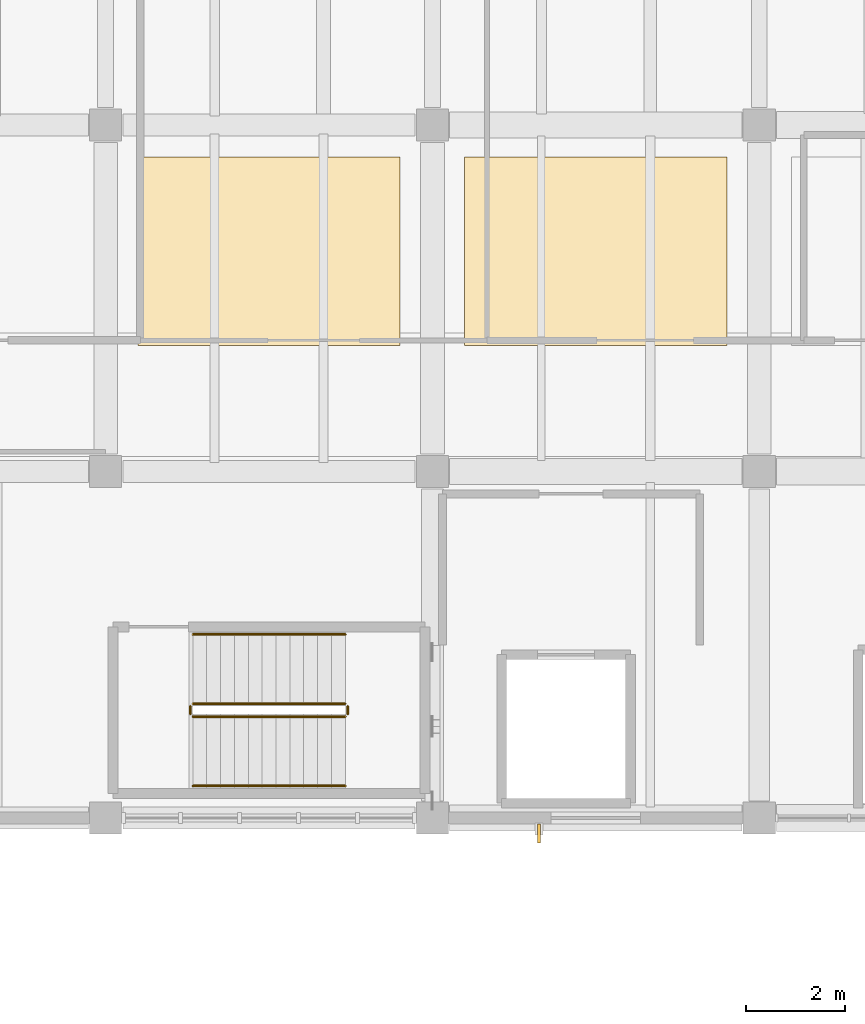
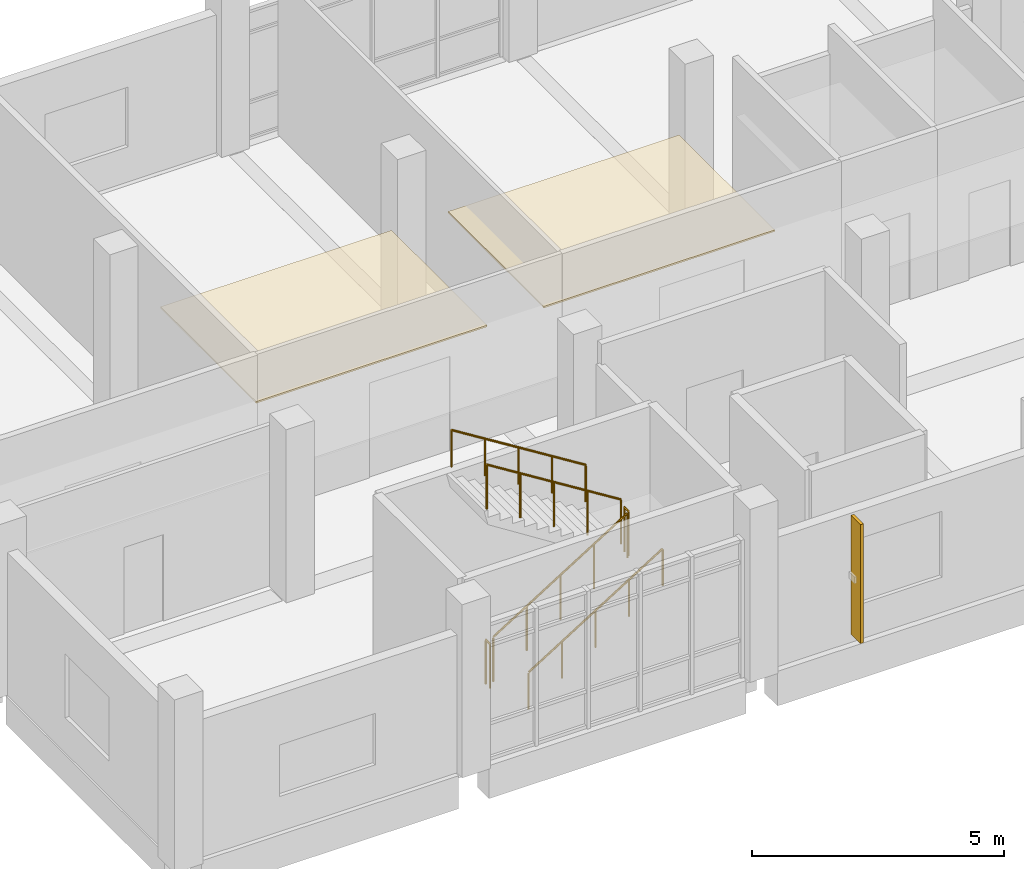
# One storey, part 14 of 16: 6 railings, 2 coverings, 1 shading device.
"""IFC4 building model written with IfcOpenShell, lengths in metres."""

from ifc_helpers import new_model, si_unit, direction, frame, origin, origin_2d, place, context, subcontext, project, spatial, polyline, rectangle, circle, outline, extrude, material, layer, layer_set, material_profile, profile_set, type_object, element, save


model = new_model("IFC4")

# Units and contexts
model_context = context("Model", 3, precision=1e-05, world=origin(), true_north=direction((0.0, 1.0)))
body_context = subcontext(model_context, "Body", "Model", "MODEL_VIEW")
ifc_project = project(units=[si_unit("LENGTHUNIT", "METRE"), si_unit("AREAUNIT", "SQUARE_METRE"), si_unit("VOLUMEUNIT", "CUBIC_METRE"), si_unit("PLANEANGLEUNIT", "RADIAN"), si_unit("MASSUNIT", "GRAM", prefix="KILO")], contexts=[model_context])

# Site, building, storey
site_placement = place(None, origin())
site = spatial("IfcSite", under=ifc_project, at=site_placement, CompositionType="ELEMENT")
building_placement = place(site_placement, origin())
building = spatial("IfcBuilding", under=site, at=building_placement, Name="Ciguamira Faculty of Natural Sciences", CompositionType="ELEMENT")
storey_placement = place(building_placement, frame((0.0, 0.0, 25.199951171875)))
storey = spatial("IfcBuildingStorey", under=building, at=storey_placement, Name="L06", CompositionType="ELEMENT", Elevation=25.199951171875)

# Coverings
ifc_material_1 = material(Name="Perforated white acoustic ceiling")
ifc_layer = layer(ifc_material_1, 0.0400390625, Name="Perforated white acoustic ceiling")
ifc_layer_set = layer_set([ifc_layer], Name="Perforated white acoustic ceiling")
covering_type = type_object("IfcCoveringType", Name="AcousticCeiling_AC01", PredefinedType="CEILING", material=ifc_layer_set)
covering_1_placement = place(storey_placement, frame((0.0, 0.0, 2.760009765625)))
element("IfcCovering", 1, at=covering_1_placement, inside=storey, type_object=covering_type, Name="L06 research bay 01 acoustic ceiling", PredefinedType="CEILING", context=body_context, shape_type="SweptSolid", body=[
    extrude(outline(polyline([(71.14990234375, 103.550048828125), (76.449951171875, 103.550048828125), (76.449951171875, 107.35009765625), (71.14990234375, 107.35009765625), (71.14990234375, 103.550048828125)])), origin(), (0.0, 0.0, 1.0), 0.0400390625),
])
covering_2_placement = place(storey_placement, frame((0.0, 0.0, 2.760009765625)))
element("IfcCovering", 2, at=covering_2_placement, inside=storey, type_object=covering_type, Name="L06 research bay 02 acoustic ceiling", PredefinedType="CEILING", context=body_context, shape_type="SweptSolid", body=[
    extrude(outline(polyline([(77.75, 103.550048828125), (83.050048828125, 103.550048828125), (83.050048828125, 107.35009765625), (77.75, 107.35009765625), (77.75, 103.550048828125)])), origin(), (0.0, 0.0, 1.0), 0.0400390625),
])

# Railings
ifc_material_2 = material(Name="Stainless steel balustrade", Category="steel")
railing_type_1 = type_object("IfcRailingType", Name="Guardrail_GR01", PredefinedType="GUARDRAIL", material=ifc_material_2)
railing_1_placement = place(storey_placement, frame((72.260009765625, 96.050048828125, 0.175048828125)))
element("IfcRailing", 3, at=railing_1_placement, inside=storey, type_object=railing_type_1, Name="L06 ST-T1 stair guard 1", PredefinedType="GUARDRAIL", context=body_context, shape_type="SweptSolid", body=[
    extrude(circle(Radius=0.02392578125, at=origin_2d()), frame((0.0, 0.0, 1.076171875), z_axis=(0.847998304005, 0.0, 0.529998940003), x_axis=(0.0, 1.0, 0.0)), (0.0, 0.0, 1.0), 3.632080078125),
    extrude(circle(Radius=0.02099609375, at=origin_2d()), origin(), (0.0, 0.0, 1.0), 1.052001953125),
    extrude(circle(Radius=0.02099609375, at=origin_2d()), frame((0.77001953125, 0.0, 0.481201171875)), (0.0, 0.0, 1.0), 1.052001953125),
    extrude(circle(Radius=0.02099609375, at=origin_2d()), frame((1.5400390625, 0.0, 0.96240234375)), (0.0, 0.0, 1.0), 1.052001953125),
    extrude(circle(Radius=0.02099609375, at=origin_2d()), frame((2.31005859375, 0.0, 1.44384765625)), (0.0, 0.0, 1.0), 1.052001953125),
    extrude(circle(Radius=0.02099609375, at=origin_2d()), frame((3.080078125, 0.0, 1.925048828125)), (0.0, 0.0, 1.0), 1.052001953125),
])
railing_2_placement = place(storey_placement, frame((75.389892578125, 96.10009765625, 2.10009765625)))
element("IfcRailing", 4, at=railing_2_placement, inside=storey, type_object=railing_type_1, Name="L06 ST-T1 stair guard 2", PredefinedType="GUARDRAIL", context=body_context, shape_type="SweptSolid", body=[
    extrude(circle(Radius=0.02392578125, at=origin_2d()), frame((0.0, 0.0, 1.076171875), z_axis=(0.0, 1.0, 0.0), x_axis=(-1.0, 0.0, 0.0)), (0.0, 0.0, 1.0), 0.159912109375),
    extrude(circle(Radius=0.02099609375, at=origin_2d()), origin(), (0.0, 0.0, 1.0), 1.052001953125),
    extrude(circle(Radius=0.02099609375, at=origin_2d()), frame((0.0, 0.159912109375, 0.0)), (0.0, 0.0, 1.0), 1.052001953125),
])
railing_3_placement = place(storey_placement, frame((75.340087890625, 96.31005859375, 2.275146484375)))
element("IfcRailing", 5, at=railing_3_placement, inside=storey, type_object=railing_type_1, Name="L06 ST-T1 stair guard 3", PredefinedType="GUARDRAIL", context=body_context, shape_type="SweptSolid", body=[
    extrude(circle(Radius=0.02392578125, at=origin_2d()), frame((0.0, 0.0, 1.076171875), z_axis=(-0.848028513186, 0.0, 0.529950602248), x_axis=(0.0, -1.0, 0.0)), (0.0, 0.0, 1.0), 3.632080078125),
    extrude(circle(Radius=0.02099609375, at=origin_2d()), origin(), (0.0, 0.0, 1.0), 1.052001953125),
    extrude(circle(Radius=0.02099609375, at=origin_2d()), frame((-0.77001953125, 0.0, 0.481201171875)), (0.0, 0.0, 1.0), 1.052001953125),
    extrude(circle(Radius=0.02099609375, at=origin_2d()), frame((-1.5400390625, 0.0, 0.96240234375)), (0.0, 0.0, 1.0), 1.052001953125),
    extrude(circle(Radius=0.02099609375, at=origin_2d()), frame((-2.31005859375, 0.0, 1.443603515625)), (0.0, 0.0, 1.0), 1.052001953125),
    extrude(circle(Radius=0.02099609375, at=origin_2d()), frame((-3.080078125, 0.0, 1.9248046875)), (0.0, 0.0, 1.0), 1.052001953125),
])
railing_4_placement = place(storey_placement, frame((72.2099609375, 96.10009765625, 0.0)))
element("IfcRailing", 6, at=railing_4_placement, inside=storey, type_object=railing_type_1, Name="L06 ST-T1 stair guard 4", PredefinedType="GUARDRAIL", context=body_context, shape_type="SweptSolid", body=[
    extrude(circle(Radius=0.02392578125, at=origin_2d()), frame((0.0, 0.0, 1.076171875), z_axis=(0.0, 1.0, 0.0), x_axis=(-1.0, 0.0, 0.0)), (0.0, 0.0, 1.0), 0.159912109375),
    extrude(circle(Radius=0.02099609375, at=origin_2d()), origin(), (0.0, 0.0, 1.0), 1.052001953125),
    extrude(circle(Radius=0.02099609375, at=origin_2d()), frame((0.0, 0.159912109375, 0.0)), (0.0, 0.0, 1.0), 1.052001953125),
])
ifc_material_3 = material(Name="Stainless steel handrail", Category="steel")
railing_type_2 = type_object("IfcRailingType", Name="Handrail_HR01", PredefinedType="HANDRAIL", material=ifc_material_3)
railing_5_placement = place(storey_placement, frame((72.260009765625, 94.64990234375, 0.35009765625)))
element("IfcRailing", 7, at=railing_5_placement, inside=storey, type_object=railing_type_2, Name="L06 ST-T1 stair handrail 1", PredefinedType="HANDRAIL", context=body_context, shape_type="SweptSolid", body=[
    extrude(circle(Radius=0.02392578125, at=origin_2d()), frame((0.0, 0.0, 0.89111328125), z_axis=(0.847998304005, 0.0, 0.529998940003), x_axis=(0.0, 1.0, 0.0)), (0.0, 0.0, 1.0), 3.632080078125),
    extrude(circle(Radius=0.02099609375, at=origin_2d()), origin(), (0.0, 0.0, 1.0), 0.866943359375),
    extrude(circle(Radius=0.02099609375, at=origin_2d()), frame((0.77001953125, 0.0, 0.481201171875)), (0.0, 0.0, 1.0), 0.866943359375),
    extrude(circle(Radius=0.02099609375, at=origin_2d()), frame((1.5400390625, 0.0, 0.96240234375)), (0.0, 0.0, 1.0), 0.866943359375),
    extrude(circle(Radius=0.02099609375, at=origin_2d()), frame((2.31005859375, 0.0, 1.44384765625)), (0.0, 0.0, 1.0), 0.866943359375),
    extrude(circle(Radius=0.02099609375, at=origin_2d()), frame((3.080078125, 0.0, 1.925048828125)), (0.0, 0.0, 1.0), 0.866943359375),
])
railing_6_placement = place(storey_placement, frame((75.340087890625, 97.7099609375, 2.449951171875)))
element("IfcRailing", 8, at=railing_6_placement, inside=storey, type_object=railing_type_2, Name="L06 ST-T1 stair handrail 2", PredefinedType="HANDRAIL", context=body_context, shape_type="SweptSolid", body=[
    extrude(circle(Radius=0.02392578125, at=origin_2d()), frame((0.0, 0.0, 0.89111328125), z_axis=(-0.847998304005, 0.0, 0.529998940003), x_axis=(0.0, -1.0, 0.0)), (0.0, 0.0, 1.0), 3.632080078125),
    extrude(circle(Radius=0.02099609375, at=origin_2d()), origin(), (0.0, 0.0, 1.0), 0.866943359375),
    extrude(circle(Radius=0.02099609375, at=origin_2d()), frame((-0.77001953125, 0.0, 0.481201171875)), (0.0, 0.0, 1.0), 0.866943359375),
    extrude(circle(Radius=0.02099609375, at=origin_2d()), frame((-1.5400390625, 0.0, 0.96240234375)), (0.0, 0.0, 1.0), 0.866943359375),
    extrude(circle(Radius=0.02099609375, at=origin_2d()), frame((-2.31005859375, 0.0, 1.44384765625)), (0.0, 0.0, 1.0), 0.866943359375),
    extrude(circle(Radius=0.02099609375, at=origin_2d()), frame((-3.080078125, 0.0, 1.925048828125)), (0.0, 0.0, 1.0), 0.866943359375),
])

# Shading device
ifc_material_4 = material(Name="Anodized bronze sunshade fin")
ifc_material_profile = material_profile(ifc_material_4, rectangle(XDim=0.06494140625, YDim=0.3798828125, at=origin_2d()), Name="BRZ-FIN-65X380")
ifc_profile_set = profile_set([ifc_material_profile], Name="Anodized bronze sunshade fin")
shading_device_type = type_object("IfcShadingDeviceType", Name="SunFin_SF01", PredefinedType="USERDEFINED", material=ifc_profile_set)
shading_device_placement = place(storey_placement, frame((79.25, 93.68994140625, 0.199951171875), z_axis=(0.0, 0.0, 1.0), x_axis=(1.0, 0.0, 0.0)))
element("IfcShadingDevice", 9, at=shading_device_placement, inside=storey, type_object=shading_device_type, Name="L06 bronze vertical sunshade fin 0031", ObjectType="SUNSHADE FIN", PredefinedType="USERDEFINED", context=body_context, shape_type="SweptSolid", body=[
    extrude(rectangle(XDim=0.06494140625, YDim=0.3798828125, at=origin_2d()), origin(), (0.0, 0.0, 1.0), 2.885009765625),
])

save(model, "model.ifc")
